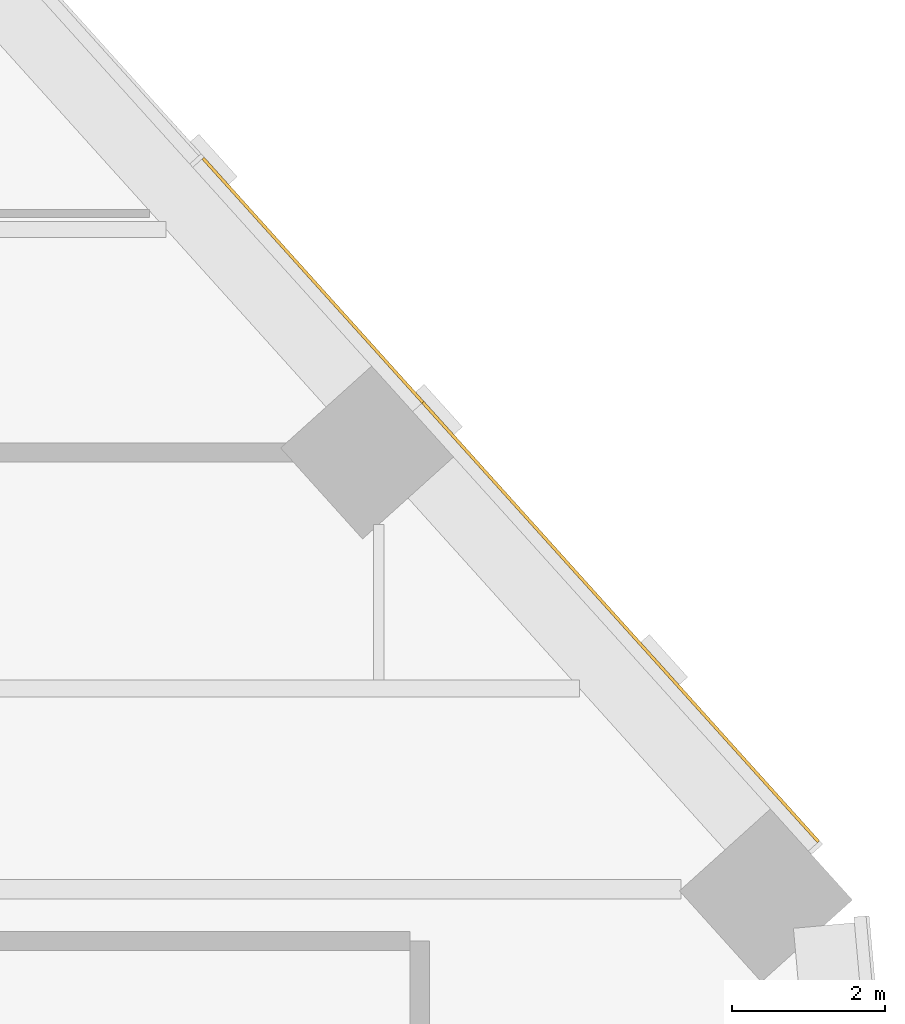
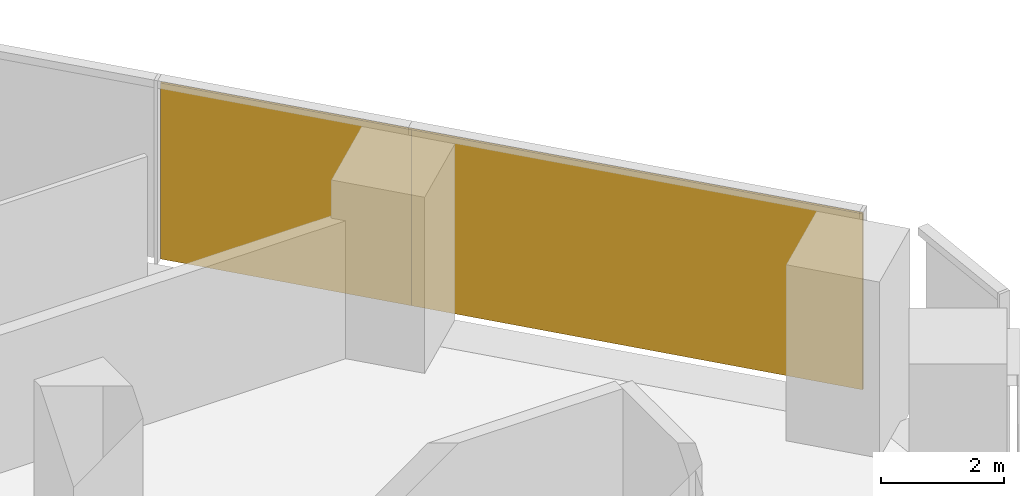
# One storey, part 21 of 21: 2 coverings, 1 element without a shape of its own.
"""IFC4 building model written with IfcOpenShell, lengths in metres."""

from ifc_helpers import new_model, si_unit, direction, frame, origin, origin_2d, place, context, subcontext, project, spatial, rectangle, extrude, material, layer, layer_set, type_object, element, aggregate, save


model = new_model("IFC4")

# Units and contexts
model_context = context("Model", 3, precision=1e-05, world=origin(), true_north=direction((0.0, 1.0)))
body_context = subcontext(model_context, "Body", "Model", "MODEL_VIEW")
ifc_project = project(units=[si_unit("LENGTHUNIT", "METRE"), si_unit("AREAUNIT", "SQUARE_METRE"), si_unit("VOLUMEUNIT", "CUBIC_METRE"), si_unit("PLANEANGLEUNIT", "RADIAN"), si_unit("MASSUNIT", "GRAM", prefix="KILO")], contexts=[model_context])

# Site, building, storey
site_placement = place(None, origin())
site = spatial("IfcSite", under=ifc_project, at=site_placement, CompositionType="ELEMENT")
building_placement = place(site_placement, origin())
building = spatial("IfcBuilding", under=site, at=building_placement, Name="Isthmus Gate Tower", CompositionType="ELEMENT")
storey_placement = place(building_placement, frame((0.0, 0.0, 109.85009765625)))
storey = spatial("IfcBuildingStorey", under=building, at=storey_placement, Name="L26", CompositionType="ELEMENT", Elevation=109.85009765625)

# Curtain wall, coverings
ifc_material_1 = material(Name="Aluminium, pale champagne anodised", Category="aluminium")
ifc_layer_1 = layer(ifc_material_1, 0.199951171875)
ifc_layer_set_1 = layer_set([ifc_layer_1], Name="CW-1 UNITISED CURTAIN WALL 200 DEEP")
curtain_wall_type = type_object("IfcCurtainWallType", Name="CW-1 UNITISED CURTAIN WALL 200 DEEP", PredefinedType="NOTDEFINED", material=ifc_layer_set_1)
curtain_wall_placement = place(storey_placement, origin())
curtain_wall = element("IfcCurtainWall", 1, at=curtain_wall_placement, inside=storey, type_object=curtain_wall_type, Name="CW-1 NE L26", PredefinedType="NOTDEFINED")
ifc_material_2 = material(Name="Aluminium composite panel, pale champagne anodised", Category="aluminium")
ifc_layer_2 = layer(ifc_material_2, 0.0400390625)
ifc_layer_set_2 = layer_set([ifc_layer_2], Name="CW-1 PALE METAL PANEL 40")
covering_type = type_object("IfcCoveringType", Name="CW-1 PALE METAL PANEL 40", PredefinedType="CLADDING", material=ifc_layer_set_2)
covering_1_placement = place(storey_placement, frame((34.826904296875, 8.367919921875, 0.0), z_axis=(0.0, 0.0, 1.0), x_axis=(-0.669130606359, 0.743144825477, 0.0)))
covering_1 = element("IfcCovering", 2, at=covering_1_placement, type_object=covering_type, Name="CW-1 pale metal panel", PredefinedType="CLADDING", context=body_context, shape_type="SweptSolid", body=[
    extrude(rectangle(XDim=7.729248046875, YDim=0.0400390625, at=origin_2d()), origin(), (0.0, 0.0, 1.0), 3.5),
])
covering_2_placement = place(storey_placement, frame((30.80419921875, 12.835693359375, 0.0), z_axis=(0.0, 0.0, 1.0), x_axis=(-0.669130606359, 0.743144825477, 0.0)))
covering_2 = element("IfcCovering", 3, at=covering_2_placement, type_object=covering_type, Name="CW-1 pale metal panel", PredefinedType="CLADDING", context=body_context, shape_type="SweptSolid", body=[
    extrude(rectangle(XDim=4.294677734375, YDim=0.0400390625, at=origin_2d()), origin(), (0.0, 0.0, 1.0), 3.5),
])
aggregate(curtain_wall, [covering_1, covering_2])

save(model, "model.ifc")
